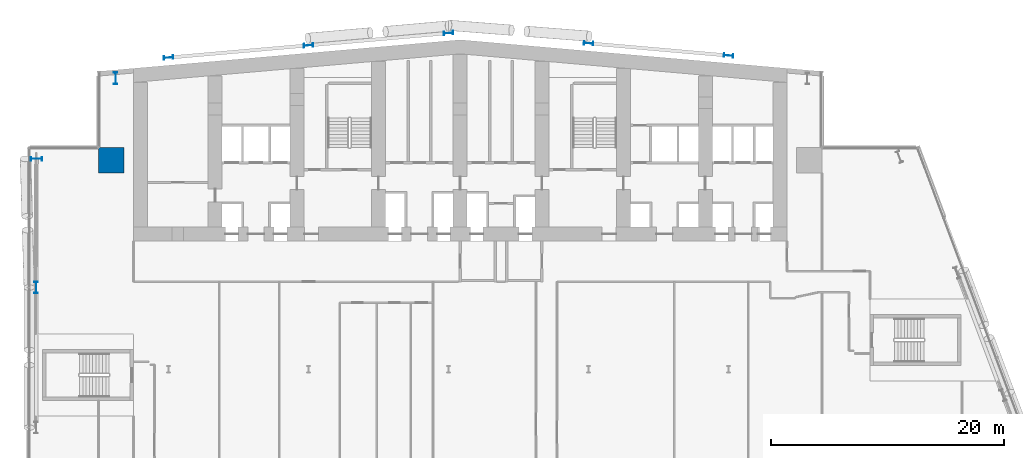
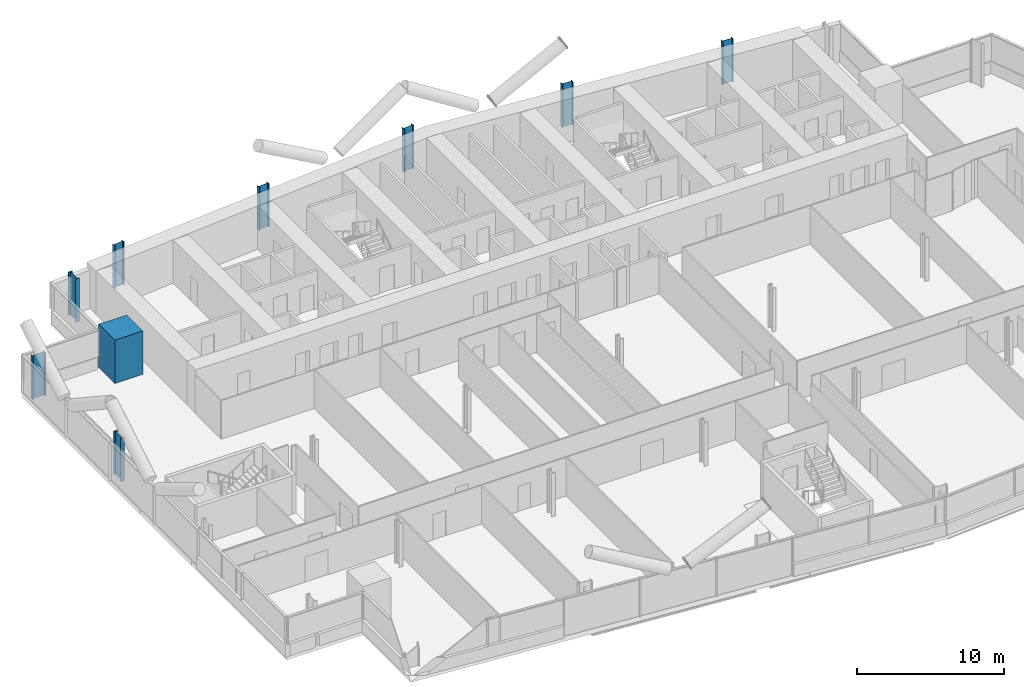
# One storey, part 2 of 27: 9 columns.
"""IFC4 building model written with IfcOpenShell, lengths in metres."""

from ifc_helpers import new_model, si_unit, direction, frame, origin, origin_2d, place, context, subcontext, project, spatial, rectangle, i_section, extrude, material, material_profile, profile_set, type_object, element, save


model = new_model("IFC4")

# Units and contexts
model_context = context("Model", 3, precision=1e-05, world=origin(), true_north=direction((0.0, 1.0)))
body_context = subcontext(model_context, "Body", "Model", "MODEL_VIEW")
ifc_project = project(units=[si_unit("LENGTHUNIT", "METRE"), si_unit("AREAUNIT", "SQUARE_METRE"), si_unit("VOLUMEUNIT", "CUBIC_METRE"), si_unit("PLANEANGLEUNIT", "RADIAN"), si_unit("MASSUNIT", "GRAM", prefix="KILO")], contexts=[model_context])

# Site, building, storey
site_placement = place(None, origin())
site = spatial("IfcSite", under=ifc_project, at=site_placement, CompositionType="ELEMENT")
building_placement = place(site_placement, origin())
building = spatial("IfcBuilding", under=site, at=building_placement, Name="Wharfspan Tower", CompositionType="ELEMENT")
storey_placement = place(building_placement, frame((0.0, 0.0, 84.699951)))
storey = spatial("IfcBuildingStorey", under=building, at=storey_placement, Name="L18", CompositionType="ELEMENT", Elevation=84.699951)

# Columns
ifc_material_1 = material(Name="Steel S355J2", Category="steel")
ifc_material_profile_1 = material_profile(ifc_material_1, i_section(OverallWidth=0.302002, OverallDepth=1.008057, WebThickness=0.020996, FlangeThickness=0.040039, FilletRadius=0.030029, at=origin_2d()))
ifc_profile_set_1 = profile_set([ifc_material_profile_1], Name="Steel S355J2")
column_type_1 = type_object("IfcColumnType", Name="Column HEM 1000", PredefinedType="COLUMN", material=ifc_profile_set_1)
for number, where, z_axis, x_axis, name in (
    (1, (7.466553, 47.933594, 0.0), (0.0, 0.0, 1.0), (-1.0, 0.0, 0.0), "Perimeter column PNRW-V.1 L18"),
    (2, (0.684814, 41.03418, 0.0), (0.0, 0.0, 1.0), (0.0, 1.0, 0.0), "Perimeter column PNRW-H.1 L18"),
    (3, (0.659912, 30.0, 0.0), (0.0, 0.0, 1.0), (-1.0, 0.0, 0.0), "Perimeter column PW.1 L18"),
):
    element("IfcColumn", number, at=place(storey_placement, frame(where, z_axis=z_axis, x_axis=x_axis)), inside=storey, type_object=column_type_1, Name=name, PredefinedType="COLUMN", context=body_context, shape_type="SweptSolid", body=[
        extrude(i_section(OverallWidth=0.302002, OverallDepth=1.008057, WebThickness=0.020996, FlangeThickness=0.040039, FilletRadius=0.030029, at=origin_2d()), origin(), (0.0, 0.0, 1.0), 3.600098),
    ])
ifc_material_profile_2 = material_profile(ifc_material_1, i_section(OverallWidth=0.302979, OverallDepth=0.813965, WebThickness=0.020996, FlangeThickness=0.040039, FilletRadius=0.030029, at=origin_2d()))
ifc_profile_set_2 = profile_set([ifc_material_profile_2], Name="Steel S355J2")
column_type_2 = type_object("IfcColumnType", Name="Column HEM 800", PredefinedType="COLUMN", material=ifc_profile_set_2)
for number, where, z_axis, x_axis, name in (
    (4, (12.0, 49.709961, 0.0), (0.0, 0.0, 1.0), (-0.087156, 0.996197, 0.0), "Rear column R.1 L18"),
    (5, (24.0, 50.759766, 0.0), (0.0, 0.0, 1.0), (-0.087156, 0.996197, 0.0), "Rear column R.2 L18"),
    (6, (36.0, 51.80957, 0.0), (0.0, 0.0, 1.0), (-0.087156, 0.996197, 0.0), "Rear column R.3 L18"),
    (7, (48.0, 50.934814, 0.0), (0.0, 0.0, 1.0), (0.087156, 0.996197, 0.0), "Rear column R.4 L18"),
    (8, (60.0, 49.884766, 0.0), (0.0, 0.0, 1.0), (0.087156, 0.996197, 0.0), "Rear column R.5 L18"),
):
    element("IfcColumn", number, at=place(storey_placement, frame(where, z_axis=z_axis, x_axis=x_axis)), inside=storey, type_object=column_type_2, Name=name, PredefinedType="COLUMN", context=body_context, shape_type="SweptSolid", body=[
        extrude(i_section(OverallWidth=0.302979, OverallDepth=0.813965, WebThickness=0.020996, FlangeThickness=0.040039, FilletRadius=0.030029, at=origin_2d()), origin(), (0.0, 0.0, 1.0), 3.600098),
    ])
ifc_material_2 = material(Name="Concrete C70/85", Category="concrete")
ifc_material_profile_3 = material_profile(ifc_material_2, rectangle(XDim=2.199951, YDim=2.199951, at=origin_2d()))
ifc_profile_set_3 = profile_set([ifc_material_profile_3], Name="Concrete C70/85")
column_type_3 = type_object("IfcColumnType", Name="Mega column 2200 C70/85", PredefinedType="COLUMN", material=ifc_profile_set_3)
column_placement = place(storey_placement, frame((7.100098, 40.899902, 0.0), z_axis=(0.0, 0.0, 1.0), x_axis=(1.0, 0.0, 0.0)))
element("IfcColumn", 9, at=column_placement, inside=storey, type_object=column_type_3, Name="Mega column MC2 L18", PredefinedType="COLUMN", context=body_context, shape_type="SweptSolid", body=[
    extrude(rectangle(XDim=2.199951, YDim=2.199951, at=origin_2d()), origin(), (0.0, 0.0, 1.0), 3.600098),
])

save(model, "model.ifc")
